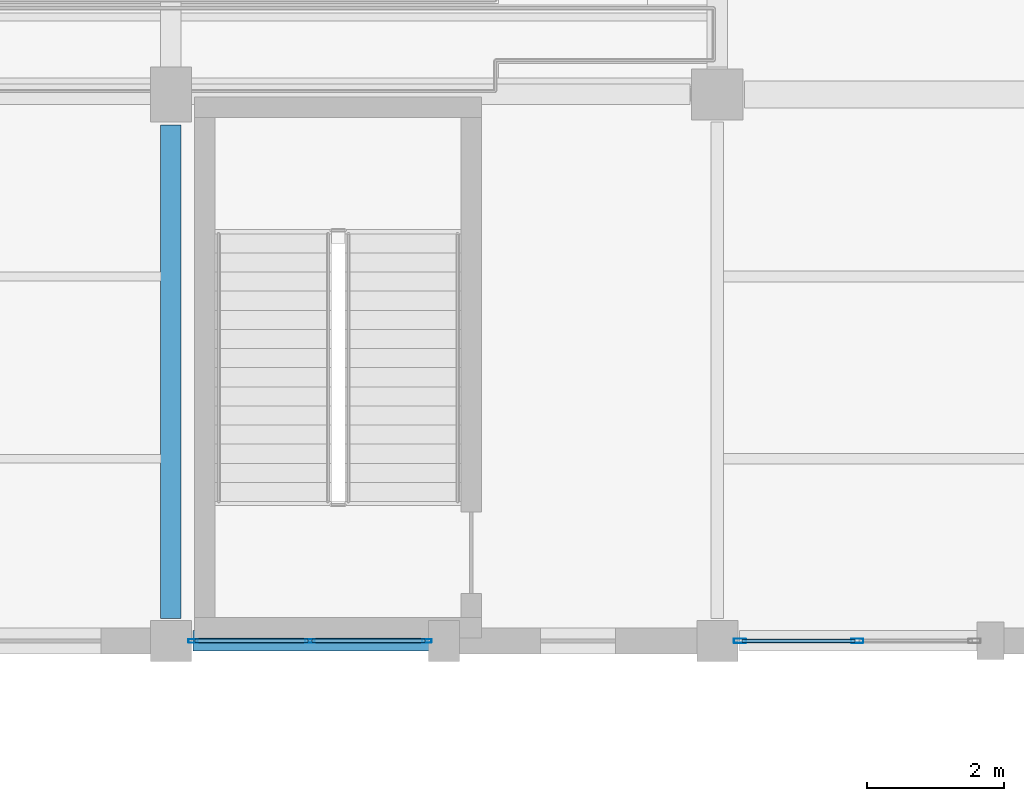
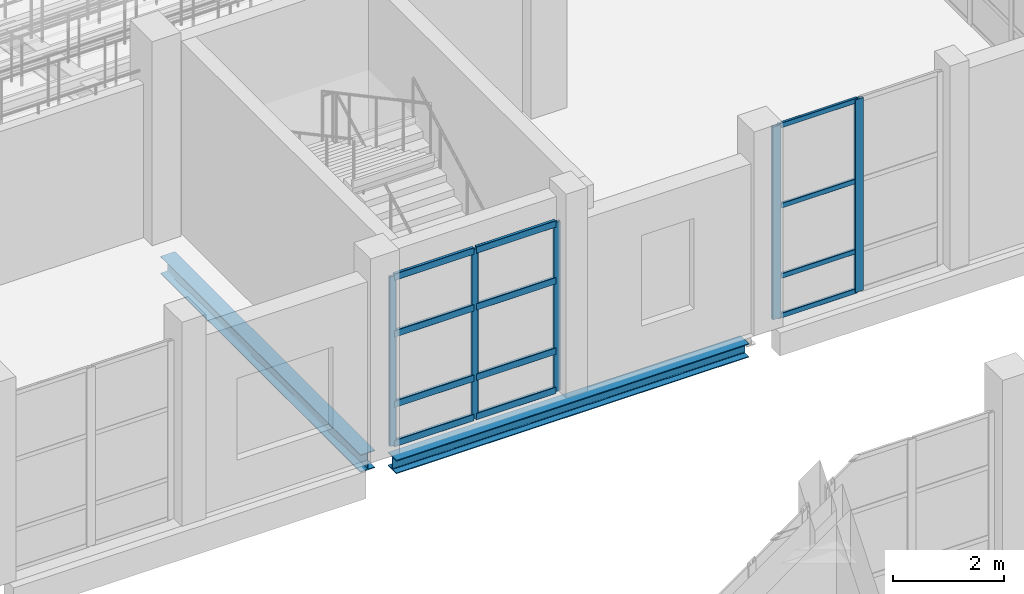
# One storey, part 46 of 183: 17 members, 2 beams, 2 elements without a shape of their own.
"""IFC4 building model written with IfcOpenShell, lengths in metres."""

import ifcopenshell
import ifcopenshell.guid

model = None  # the IFC model being written
_history = None  # IfcOwnerHistory: only IFC2X3 demands one
_inside = {}  # id of a spatial element -> (the spatial element, [elements in it])
_under = {}  # id of a project, library or spatial element -> (it, [spatial elements below it])
_declared = {}  # id of a project -> (the project, [libraries it declares])
_typed = {}  # id of a type object -> (the type object, [elements of that type])
_made_of = {}  # id of a material, layer set ... -> (it, [elements and type objects made of it])


def new_model(schema):
    """Start an empty IFC model of exactly this schema.

    Asked for "IFC4X3", IfcOpenShell would pick the latest addendum, in which some entities
    have other attributes; the version numbers below select the first issue.
    IFC2X3 requires an IfcOwnerHistory on every rooted entity: one is made here for all.
    """
    global model, _history
    if schema == "IFC4X3":
        model = ifcopenshell.file(schema_version=(4, 3, 0, 0))
    else:
        model = ifcopenshell.file(schema=schema)
    _inside.clear()
    _under.clear()
    _declared.clear()
    _typed.clear()
    _made_of.clear()
    _history = None
    if model.schema == "IFC2X3":
        org = make("IfcOrganization", Name="unknown")
        user = make(
            "IfcPersonAndOrganization",
            ThePerson=make("IfcPerson", FamilyName="unknown"),
            TheOrganization=org,
        )
        app = make(
            "IfcApplication",
            ApplicationDeveloper=org,
            Version="unknown",
            ApplicationFullName="unknown",
            ApplicationIdentifier="unknown",
        )
        _history = make(
            "IfcOwnerHistory",
            OwningUser=user,
            OwningApplication=app,
            ChangeAction="ADDED",
            CreationDate=0,
        )
    return model


def make(cls, **values):
    """One entity of the class cls with the attributes given. An attribute that is None is left unset."""
    return model.create_entity(
        cls, **{name: value for name, value in values.items() if value is not None}
    )


def rooted(cls, **values):
    """An entity with a GlobalId (a new one), such as an element, a storey or a relation."""
    return make(cls, GlobalId=ifcopenshell.guid.new(), OwnerHistory=_history, **values)


def si_unit(unit_type, name, prefix=None):
    """IfcSIUnit, for example si_unit("LENGTHUNIT", "METRE", prefix="MILLI")."""
    return make("IfcSIUnit", UnitType=unit_type, Prefix=prefix, Name=name)


def assignment(units):
    """IfcUnitAssignment: the units of a project."""
    return None if units is None else make("IfcUnitAssignment", Units=units)


def point(xyz):
    """IfcCartesianPoint."""
    return None if xyz is None else make("IfcCartesianPoint", Coordinates=xyz)


def direction(xyz):
    """IfcDirection."""
    return None if xyz is None else make("IfcDirection", DirectionRatios=xyz)


def frame(location, z_axis=None, x_axis=None):
    """IfcAxis2Placement3D, a coordinate frame: its origin and axes. An axis left out is left unset."""
    return make(
        "IfcAxis2Placement3D",
        Location=point(location),
        Axis=direction(z_axis),
        RefDirection=direction(x_axis),
    )


def frame_2d(location, x_axis=None):
    """IfcAxis2Placement2D, a coordinate frame in the plane: its origin and x axis."""
    return make(
        "IfcAxis2Placement2D", Location=point(location), RefDirection=direction(x_axis)
    )


def origin():
    """The frame at (0, 0, 0) with its axes left unset."""
    return frame((0.0, 0.0, 0.0))


def origin_2d():
    """The frame at (0, 0) in the plane with its x axis left unset."""
    return frame_2d((0.0, 0.0))


def place(relative_to, where):
    """IfcLocalPlacement: puts the frame where relative to a parent placement (None: the world)."""
    return make(
        "IfcLocalPlacement", PlacementRelTo=relative_to, RelativePlacement=where
    )


def context(
    kind, dimensions, precision=None, world=None, true_north=None, identifier=None
):
    """IfcGeometricRepresentationContext, for example the 3D "Model" context."""
    return make(
        "IfcGeometricRepresentationContext",
        ContextIdentifier=identifier,
        ContextType=kind,
        CoordinateSpaceDimension=dimensions,
        Precision=precision,
        WorldCoordinateSystem=world,
        TrueNorth=true_north,
    )


def subcontext(parent, identifier, kind, view, scale=None):
    """IfcGeometricRepresentationSubContext, for example "Body" below "Model"."""
    return make(
        "IfcGeometricRepresentationSubContext",
        ContextIdentifier=identifier,
        ContextType=kind,
        ParentContext=parent,
        TargetScale=scale,
        TargetView=view,
    )


def project(units=None, contexts=None):
    """IfcProject with its units and contexts."""
    return rooted(
        "IfcProject",
        Name="project",
        RepresentationContexts=contexts,
        UnitsInContext=assignment(units),
    )


def spatial(cls, under=None, at=None, **own):
    """A site, building, storey or space (cls), placed at a placement, below another one or the project."""
    s = rooted(cls, ObjectPlacement=at, **own)
    if under is not None:
        _under.setdefault(under.id(), (under, []))[1].append(s)
    return s


def profile(cls, at=None, kind="AREA", **sizes):
    """A parametric profile (cls). Its sizes go by their IFC names, for example OverallWidth=200.0."""
    return make(cls, ProfileType=kind, Position=at, **sizes)


def hollow_rectangle(**sizes):
    """IfcRectangleHollowProfileDef."""
    return profile("IfcRectangleHollowProfileDef", **sizes)


def i_section(**sizes):
    """IfcIShapeProfileDef."""
    return profile("IfcIShapeProfileDef", **sizes)


def extrude(swept, where, along, depth):
    """IfcExtrudedAreaSolid: the profile swept, set in the frame where, extruded along a direction by depth."""
    return make(
        "IfcExtrudedAreaSolid",
        SweptArea=swept,
        Position=where,
        ExtrudedDirection=direction(along),
        Depth=depth,
    )


def shape(context_of_items, identifier, shape_type, items):
    """IfcShapeRepresentation: the items that make up one representation, for example the "Body"."""
    return make(
        "IfcShapeRepresentation",
        ContextOfItems=context_of_items,
        RepresentationIdentifier=identifier,
        RepresentationType=shape_type,
        Items=items,
    )


def material(Name=None, Category=None):
    """IfcMaterial."""
    return make("IfcMaterial", Name=Name, Category=Category)


def material_profile(
    of_material, cross_section, Name=None, Category=None, Priority=None
):
    """IfcMaterialProfile: a cross section and its material."""
    return make(
        "IfcMaterialProfile",
        Name=Name,
        Material=of_material,
        Profile=cross_section,
        Priority=Priority,
        Category=Category,
    )


def profile_set(profiles, Name=None, composite=None):
    """IfcMaterialProfileSet."""
    return make(
        "IfcMaterialProfileSet",
        Name=Name,
        MaterialProfiles=profiles,
        CompositeProfile=composite,
    )


def made_of(thing, what):
    """Note that an element or type object is made of a material, layer set ...; save() writes the relation."""
    if what is not None:
        _made_of.setdefault(what.id(), (what, []))[1].append(thing)
    return thing


def type_object(cls, material=None, **own):
    """A type object (cls), such as IfcWallType, which elements share."""
    return made_of(rooted(cls, **own), material)


def element(
    cls,
    number,
    at=None,
    inside=None,
    cuts=None,
    type_object=None,
    material=None,
    context=None,
    identifier="Body",
    shape_type=None,
    held_by="IfcProductDefinitionShape",
    body=None,
    shapes=None,
    **own,
):
    """One element of the class cls, such as IfcWall. Its Tag is "e" and its number.

    at: its placement. inside: the storey or other place that contains it. cuts: it is an
    opening in that element (IfcRelVoidsElement). A single representation is given by context,
    identifier, shape_type and body (its items); several are given by shapes. held_by: the class
    of the entity that holds the representations. save() writes the other relations.
    """
    e = rooted(cls, Tag="e%d" % number, ObjectPlacement=at, **own)
    if body is not None:
        shapes = [shape(context, identifier, shape_type, body)]
    if shapes is not None:
        e.Representation = make(held_by, Representations=shapes)
    if inside is not None:
        _inside.setdefault(inside.id(), (inside, []))[1].append(e)
    if cuts is not None:
        rooted(
            "IfcRelVoidsElement", RelatingBuildingElement=cuts, RelatedOpeningElement=e
        )
    if type_object is not None:
        _typed.setdefault(type_object.id(), (type_object, []))[1].append(e)
    return made_of(e, material)


def aggregate(whole, parts):
    """IfcRelAggregates: a whole, such as a stair, and the parts it consists of."""
    return rooted("IfcRelAggregates", RelatingObject=whole, RelatedObjects=parts)


def save(model, path):
    """Write the relations noted so far, then the file.

    IfcRelAggregates (storeys below a building ...), IfcRelContainedInSpatialStructure (elements
    in a storey), IfcRelDefinesByType, IfcRelAssociatesMaterial and IfcRelDeclares: one each for
    every whole, place, type object, material and project.
    """
    for whole, parts in _under.values():
        aggregate(whole, parts)
    for where, things in _inside.values():
        rooted(
            "IfcRelContainedInSpatialStructure",
            RelatedElements=things,
            RelatingStructure=where,
        )
    for kind, things in _typed.values():
        rooted("IfcRelDefinesByType", RelatedObjects=things, RelatingType=kind)
    for what, things in _made_of.values():
        rooted("IfcRelAssociatesMaterial", RelatedObjects=things, RelatingMaterial=what)
    for by, libraries in _declared.values():
        rooted("IfcRelDeclares", RelatingContext=by, RelatedDefinitions=libraries)
    model.write(path)


model = new_model("IFC4")

# Units and contexts
model_context = context("Model", 3, precision=1e-05, world=origin(), true_north=direction((0.0, 1.0)))
body_context = subcontext(model_context, "Body", "Model", "MODEL_VIEW")
ifc_project = project(units=[si_unit("LENGTHUNIT", "METRE"), si_unit("AREAUNIT", "SQUARE_METRE"), si_unit("VOLUMEUNIT", "CUBIC_METRE"), si_unit("PLANEANGLEUNIT", "RADIAN"), si_unit("MASSUNIT", "GRAM", prefix="KILO")], contexts=[model_context])

# Site, building, storey
site_placement = place(None, origin())
site = spatial("IfcSite", under=ifc_project, at=site_placement, CompositionType="ELEMENT")
building_placement = place(site_placement, origin())
building = spatial("IfcBuilding", under=site, at=building_placement, Name="Luwemba Playhouse", CompositionType="ELEMENT")
storey_placement = place(building_placement, frame((0.0, 0.0, 4.800048828125)))
storey = spatial("IfcBuildingStorey", under=building, at=storey_placement, Name="L01", CompositionType="ELEMENT", Elevation=4.800048828125)

# Beams
ifc_material_1 = material(Name="Steel S355", Category="steel")
ifc_material_profile_1 = material_profile(ifc_material_1, i_section(OverallWidth=0.300048828125, OverallDepth=0.389892578125, WebThickness=0.010986328125, FlangeThickness=0.01904296875, FilletRadius=0.027099609375, at=origin_2d()))
ifc_profile_set_1 = profile_set([ifc_material_profile_1], Name="Steel S355")
beam_type_1 = type_object("IfcBeamType", Name="BM-SB05", PredefinedType="BEAM", material=ifc_profile_set_1)
beam_1_placement = place(storey_placement, frame((36.0, 36.324951171875, -0.445068359375), z_axis=(0.0, 1.0, 0.0), x_axis=(-1.0, 0.0, 0.0)))
element("IfcBeam", 1, at=beam_1_placement, inside=storey, type_object=beam_type_1, Name="L01 transverse girder 0366", PredefinedType="BEAM", context=body_context, shape_type="SweptSolid", body=[
    extrude(i_section(OverallWidth=0.300048828125, OverallDepth=0.389892578125, WebThickness=0.010986328125, FlangeThickness=0.01904296875, FilletRadius=0.027099609375, at=origin_2d()), origin(), (0.0, 0.0, 1.0), 7.22509765625),
])
ifc_material_profile_2 = material_profile(ifc_material_1, i_section(OverallWidth=0.300048828125, OverallDepth=0.300048828125, WebThickness=0.010986328125, FlangeThickness=0.01904296875, FilletRadius=0.027099609375, at=origin_2d()))
ifc_profile_set_2 = profile_set([ifc_material_profile_2], Name="Steel S355")
beam_type_2 = type_object("IfcBeamType", Name="BM-SSP1", PredefinedType="SPANDREL", material=ifc_profile_set_2)
beam_2_placement = place(storey_placement, frame((36.324951171875, 36.0, -0.400146484375), z_axis=(1.0, 0.0, 0.0), x_axis=(0.0, 1.0, 0.0)))
element("IfcBeam", 2, at=beam_2_placement, inside=storey, type_object=beam_type_2, Name="L01 grid girder 0343", PredefinedType="SPANDREL", context=body_context, shape_type="SweptSolid", body=[
    extrude(i_section(OverallWidth=0.300048828125, OverallDepth=0.300048828125, WebThickness=0.010986328125, FlangeThickness=0.01904296875, FilletRadius=0.027099609375, at=origin_2d()), origin(), (0.0, 0.0, 1.0), 7.35009765625),
])

# Curtain wall, members
ifc_material_2 = material(Name="Solar-control double glazing", Category="glass")
curtain_wall_type_1 = type_object("IfcCurtainWallType", Name="CW-CW75", PredefinedType="USERDEFINED", material=ifc_material_2)
curtain_wall_1_placement = place(storey_placement, origin())
curtain_wall_1 = element("IfcCurtainWall", 3, at=curtain_wall_1_placement, inside=storey, type_object=curtain_wall_type_1, Name="L01 V1 unitised curtain wall 099", ObjectType="UNITISED GLAZING", PredefinedType="USERDEFINED")
ifc_material_3 = material(Name="Aluminium 6063-T6", Category="aluminium")
ifc_material_profile_3 = material_profile(ifc_material_3, hollow_rectangle(XDim=0.06494140625, YDim=0.179931640625, WallThickness=0.00439453125, InnerFilletRadius=0.0068359375, OuterFilletRadius=0.01123046875, at=origin_2d()))
ifc_profile_set_3 = profile_set([ifc_material_profile_3], Name="Aluminium 6063-T6")
member_type_1 = type_object("IfcMemberType", Name="CWM-M2", PredefinedType="MULLION", material=ifc_profile_set_3)
member_1_placement = place(storey_placement, frame((46.050048828125, 36.0, 0.0), z_axis=(0.0, 0.0, 1.0), x_axis=(0.0, -1.0, 0.0)))
member_1 = element("IfcMember", 4, at=member_1_placement, type_object=member_type_1, Name="CW75 mullion 2", PredefinedType="MULLION", context=body_context, shape_type="SweptSolid", body=[
    extrude(hollow_rectangle(XDim=0.06494140625, YDim=0.179931640625, WallThickness=0.00439453125, InnerFilletRadius=0.0068359375, OuterFilletRadius=0.01123046875, at=origin_2d()), origin(), (0.0, 0.0, 1.0), 4.25),
])
member_2_placement = place(storey_placement, frame((44.33251953125, 36.0, 0.0), z_axis=(0.0, 0.0, 1.0), x_axis=(0.0, -1.0, 0.0)))
member_2 = element("IfcMember", 5, at=member_2_placement, type_object=member_type_1, Name="CW75 mullion 3", PredefinedType="MULLION", context=body_context, shape_type="SweptSolid", body=[
    extrude(hollow_rectangle(XDim=0.06494140625, YDim=0.179931640625, WallThickness=0.00439453125, InnerFilletRadius=0.0068359375, OuterFilletRadius=0.01123046875, at=origin_2d()), origin(), (0.0, 0.0, 1.0), 4.25),
])

curtain_wall_type_2 = type_object("IfcCurtainWallType", Name="CW-CW76", PredefinedType="USERDEFINED", material=ifc_material_2)
curtain_wall_2_placement = place(storey_placement, origin())
curtain_wall_2 = element("IfcCurtainWall", 6, at=curtain_wall_2_placement, inside=storey, type_object=curtain_wall_type_2, Name="L01 V1 unitised curtain wall 100", ObjectType="UNITISED GLAZING", PredefinedType="USERDEFINED")
ifc_material_profile_4 = material_profile(ifc_material_3, hollow_rectangle(XDim=0.054931640625, YDim=0.139892578125, WallThickness=0.00390625, InnerFilletRadius=0.006103515625, OuterFilletRadius=0.010009765625, at=origin_2d()))
ifc_profile_set_4 = profile_set([ifc_material_profile_4], Name="Aluminium 6063-T6")
member_type_2 = type_object("IfcMemberType", Name="CWM-M3", PredefinedType="MULLION", material=ifc_profile_set_4)
member_3_placement = place(storey_placement, frame((39.74755859375, 36.0, 0.0), z_axis=(0.0, 0.0, 1.0), x_axis=(0.0, -1.0, 0.0)))
member_3 = element("IfcMember", 7, at=member_3_placement, type_object=member_type_2, Name="CW76 mullion 1", PredefinedType="MULLION", context=body_context, shape_type="SweptSolid", body=[
    extrude(hollow_rectangle(XDim=0.054931640625, YDim=0.139892578125, WallThickness=0.00390625, InnerFilletRadius=0.006103515625, OuterFilletRadius=0.010009765625, at=origin_2d()), origin(), (0.0, 0.0, 1.0), 3.73486328125),
])
member_4_placement = place(storey_placement, frame((38.03759765625, 36.0, 0.0), z_axis=(0.0, 0.0, 1.0), x_axis=(0.0, -1.0, 0.0)))
member_4 = element("IfcMember", 8, at=member_4_placement, type_object=member_type_2, Name="CW76 mullion 2", PredefinedType="MULLION", context=body_context, shape_type="SweptSolid", body=[
    extrude(hollow_rectangle(XDim=0.054931640625, YDim=0.139892578125, WallThickness=0.00390625, InnerFilletRadius=0.006103515625, OuterFilletRadius=0.010009765625, at=origin_2d()), origin(), (0.0, 0.0, 1.0), 3.73486328125),
])
member_5_placement = place(storey_placement, frame((36.327392578125, 36.0, 0.0), z_axis=(0.0, 0.0, 1.0), x_axis=(0.0, -1.0, 0.0)))
member_5 = element("IfcMember", 9, at=member_5_placement, type_object=member_type_2, Name="CW76 mullion 3", PredefinedType="MULLION", context=body_context, shape_type="SweptSolid", body=[
    extrude(hollow_rectangle(XDim=0.054931640625, YDim=0.139892578125, WallThickness=0.00390625, InnerFilletRadius=0.006103515625, OuterFilletRadius=0.010009765625, at=origin_2d()), origin(), (0.0, 0.0, 1.0), 3.73486328125),
])

# Member
ifc_material_profile_5 = material_profile(ifc_material_3, hollow_rectangle(XDim=0.054931640625, YDim=0.110107421875, WallThickness=0.00341796875, InnerFilletRadius=0.00537109375, OuterFilletRadius=0.0087890625, at=origin_2d()))
ifc_profile_set_5 = profile_set([ifc_material_profile_5], Name="Aluminium 6063-T6")
member_type_3 = type_object("IfcMemberType", Name="CWT-T2", PredefinedType="USERDEFINED", material=ifc_profile_set_5)
member_6_placement = place(storey_placement, frame((46.017578125, 36.0, 0.02734375), z_axis=(-1.0, 0.0, 0.0), x_axis=(0.0, -1.0, 0.0)))
member_6 = element("IfcMember", 10, at=member_6_placement, type_object=member_type_3, Name="CW75 transom 2.1", ObjectType="TRANSOM", PredefinedType="USERDEFINED", context=body_context, shape_type="SweptSolid", body=[
    extrude(hollow_rectangle(XDim=0.054931640625, YDim=0.110107421875, WallThickness=0.00341796875, InnerFilletRadius=0.00537109375, OuterFilletRadius=0.0087890625, at=origin_2d()), origin(), (0.0, 0.0, 1.0), 1.652587890625),
])

member_7_placement = place(storey_placement, frame((46.017578125, 36.0, 0.89990234375), z_axis=(-1.0, 0.0, 0.0), x_axis=(0.0, -1.0, 0.0)))
member_7 = element("IfcMember", 11, at=member_7_placement, type_object=member_type_3, Name="CW75 transom 2.2", ObjectType="TRANSOM", PredefinedType="USERDEFINED", context=body_context, shape_type="SweptSolid", body=[
    extrude(hollow_rectangle(XDim=0.054931640625, YDim=0.110107421875, WallThickness=0.00341796875, InnerFilletRadius=0.00537109375, OuterFilletRadius=0.0087890625, at=origin_2d()), origin(), (0.0, 0.0, 1.0), 1.652587890625),
])

member_8_placement = place(storey_placement, frame((46.017578125, 36.0, 2.449951171875), z_axis=(-1.0, 0.0, 0.0), x_axis=(0.0, -1.0, 0.0)))
member_8 = element("IfcMember", 12, at=member_8_placement, type_object=member_type_3, Name="CW75 transom 2.3", ObjectType="TRANSOM", PredefinedType="USERDEFINED", context=body_context, shape_type="SweptSolid", body=[
    extrude(hollow_rectangle(XDim=0.054931640625, YDim=0.110107421875, WallThickness=0.00341796875, InnerFilletRadius=0.00537109375, OuterFilletRadius=0.0087890625, at=origin_2d()), origin(), (0.0, 0.0, 1.0), 1.652587890625),
])

member_9_placement = place(storey_placement, frame((46.017578125, 36.0, 4.222412109375), z_axis=(-1.0, 0.0, 0.0), x_axis=(0.0, -1.0, 0.0)))
member_9 = element("IfcMember", 13, at=member_9_placement, type_object=member_type_3, Name="CW75 transom 2.4", ObjectType="TRANSOM", PredefinedType="USERDEFINED", context=body_context, shape_type="SweptSolid", body=[
    extrude(hollow_rectangle(XDim=0.054931640625, YDim=0.110107421875, WallThickness=0.00341796875, InnerFilletRadius=0.00537109375, OuterFilletRadius=0.0087890625, at=origin_2d()), origin(), (0.0, 0.0, 1.0), 1.652587890625),
])

aggregate(curtain_wall_1, [member_1, member_2, member_6, member_7, member_8, member_9])

ifc_material_profile_6 = material_profile(ifc_material_3, hollow_rectangle(XDim=0.06494140625, YDim=0.14990234375, WallThickness=0.00390625, InnerFilletRadius=0.006103515625, OuterFilletRadius=0.010009765625, at=origin_2d()))
ifc_profile_set_6 = profile_set([ifc_material_profile_6], Name="Aluminium 6063-T6")
member_type_4 = type_object("IfcMemberType", Name="CWT-T3", PredefinedType="USERDEFINED", material=ifc_profile_set_6)
member_10_placement = place(storey_placement, frame((39.719970703125, 36.0, 0.032470703125), z_axis=(-1.0, 0.0, 0.0), x_axis=(0.0, -1.0, 0.0)))
member_10 = element("IfcMember", 14, at=member_10_placement, type_object=member_type_4, Name="CW76 transom 1.1", ObjectType="TRANSOM", PredefinedType="USERDEFINED", context=body_context, shape_type="SweptSolid", body=[
    extrude(hollow_rectangle(XDim=0.06494140625, YDim=0.14990234375, WallThickness=0.00390625, InnerFilletRadius=0.006103515625, OuterFilletRadius=0.010009765625, at=origin_2d()), origin(), (0.0, 0.0, 1.0), 1.655029296875),
])

member_11_placement = place(storey_placement, frame((39.719970703125, 36.0, 0.89990234375), z_axis=(-1.0, 0.0, 0.0), x_axis=(0.0, -1.0, 0.0)))
member_11 = element("IfcMember", 15, at=member_11_placement, type_object=member_type_4, Name="CW76 transom 1.2", ObjectType="TRANSOM", PredefinedType="USERDEFINED", context=body_context, shape_type="SweptSolid", body=[
    extrude(hollow_rectangle(XDim=0.06494140625, YDim=0.14990234375, WallThickness=0.00390625, InnerFilletRadius=0.006103515625, OuterFilletRadius=0.010009765625, at=origin_2d()), origin(), (0.0, 0.0, 1.0), 1.655029296875),
])

member_12_placement = place(storey_placement, frame((39.719970703125, 36.0, 2.449951171875), z_axis=(-1.0, 0.0, 0.0), x_axis=(0.0, -1.0, 0.0)))
member_12 = element("IfcMember", 16, at=member_12_placement, type_object=member_type_4, Name="CW76 transom 1.3", ObjectType="TRANSOM", PredefinedType="USERDEFINED", context=body_context, shape_type="SweptSolid", body=[
    extrude(hollow_rectangle(XDim=0.06494140625, YDim=0.14990234375, WallThickness=0.00390625, InnerFilletRadius=0.006103515625, OuterFilletRadius=0.010009765625, at=origin_2d()), origin(), (0.0, 0.0, 1.0), 1.655029296875),
])

member_13_placement = place(storey_placement, frame((39.719970703125, 36.0, 3.702392578125), z_axis=(-1.0, 0.0, 0.0), x_axis=(0.0, -1.0, 0.0)))
member_13 = element("IfcMember", 17, at=member_13_placement, type_object=member_type_4, Name="CW76 transom 1.4", ObjectType="TRANSOM", PredefinedType="USERDEFINED", context=body_context, shape_type="SweptSolid", body=[
    extrude(hollow_rectangle(XDim=0.06494140625, YDim=0.14990234375, WallThickness=0.00390625, InnerFilletRadius=0.006103515625, OuterFilletRadius=0.010009765625, at=origin_2d()), origin(), (0.0, 0.0, 1.0), 1.655029296875),
])

member_14_placement = place(storey_placement, frame((38.010009765625, 36.0, 0.032470703125), z_axis=(-1.0, 0.0, 0.0), x_axis=(0.0, -1.0, 0.0)))
member_14 = element("IfcMember", 18, at=member_14_placement, type_object=member_type_4, Name="CW76 transom 2.1", ObjectType="TRANSOM", PredefinedType="USERDEFINED", context=body_context, shape_type="SweptSolid", body=[
    extrude(hollow_rectangle(XDim=0.06494140625, YDim=0.14990234375, WallThickness=0.00390625, InnerFilletRadius=0.006103515625, OuterFilletRadius=0.010009765625, at=origin_2d()), origin(), (0.0, 0.0, 1.0), 1.655029296875),
])

member_15_placement = place(storey_placement, frame((38.010009765625, 36.0, 0.89990234375), z_axis=(-1.0, 0.0, 0.0), x_axis=(0.0, -1.0, 0.0)))
member_15 = element("IfcMember", 19, at=member_15_placement, type_object=member_type_4, Name="CW76 transom 2.2", ObjectType="TRANSOM", PredefinedType="USERDEFINED", context=body_context, shape_type="SweptSolid", body=[
    extrude(hollow_rectangle(XDim=0.06494140625, YDim=0.14990234375, WallThickness=0.00390625, InnerFilletRadius=0.006103515625, OuterFilletRadius=0.010009765625, at=origin_2d()), origin(), (0.0, 0.0, 1.0), 1.655029296875),
])

member_16_placement = place(storey_placement, frame((38.010009765625, 36.0, 2.449951171875), z_axis=(-1.0, 0.0, 0.0), x_axis=(0.0, -1.0, 0.0)))
member_16 = element("IfcMember", 20, at=member_16_placement, type_object=member_type_4, Name="CW76 transom 2.3", ObjectType="TRANSOM", PredefinedType="USERDEFINED", context=body_context, shape_type="SweptSolid", body=[
    extrude(hollow_rectangle(XDim=0.06494140625, YDim=0.14990234375, WallThickness=0.00390625, InnerFilletRadius=0.006103515625, OuterFilletRadius=0.010009765625, at=origin_2d()), origin(), (0.0, 0.0, 1.0), 1.655029296875),
])

member_17_placement = place(storey_placement, frame((38.010009765625, 36.0, 3.702392578125), z_axis=(-1.0, 0.0, 0.0), x_axis=(0.0, -1.0, 0.0)))
member_17 = element("IfcMember", 21, at=member_17_placement, type_object=member_type_4, Name="CW76 transom 2.4", ObjectType="TRANSOM", PredefinedType="USERDEFINED", context=body_context, shape_type="SweptSolid", body=[
    extrude(hollow_rectangle(XDim=0.06494140625, YDim=0.14990234375, WallThickness=0.00390625, InnerFilletRadius=0.006103515625, OuterFilletRadius=0.010009765625, at=origin_2d()), origin(), (0.0, 0.0, 1.0), 1.655029296875),
])

aggregate(curtain_wall_2, [member_3, member_4, member_5, member_10, member_11, member_12, member_13, member_14, member_15, member_16, member_17])

save(model, "model.ifc")
